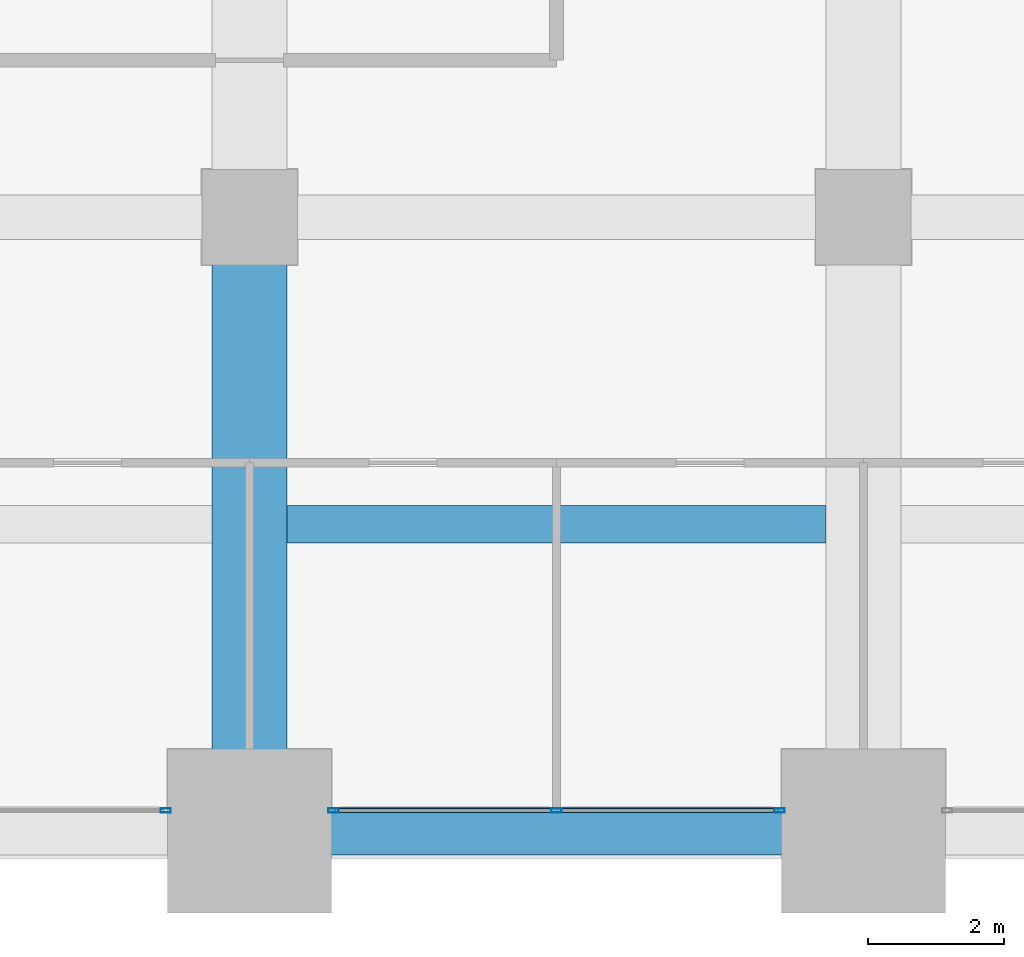
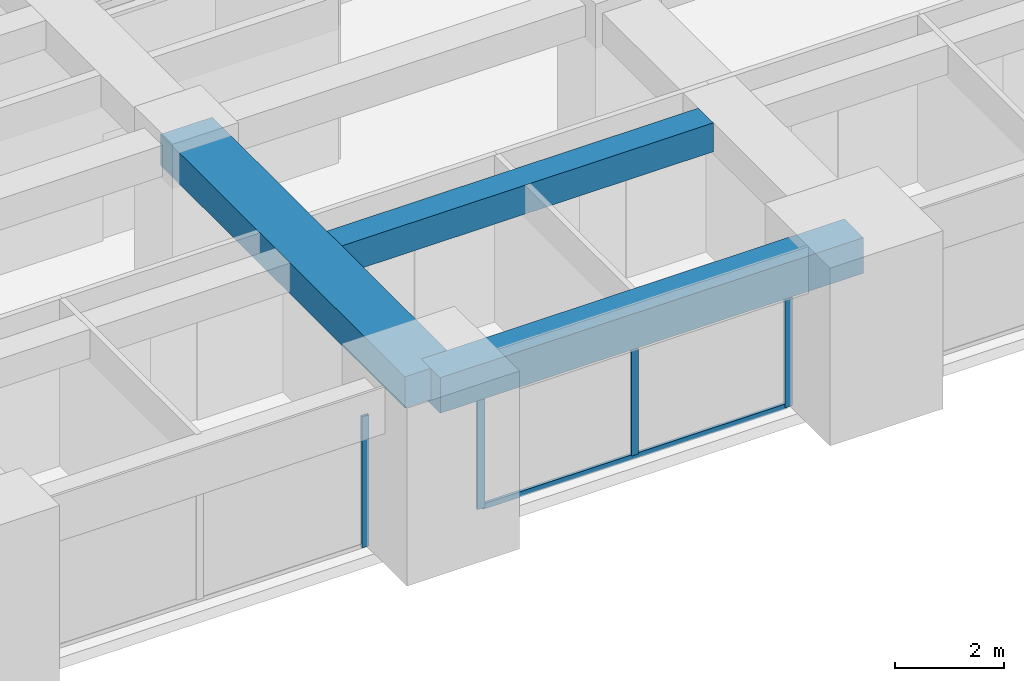
# One storey, part 6 of 33: 5 members, 3 beams, 2 elements without a shape of their own.
"""IFC4 building model written with IfcOpenShell, lengths in metres."""

from ifc_helpers import new_model, si_unit, direction, frame, origin, origin_2d, place, context, subcontext, project, spatial, rectangle, hollow_rectangle, extrude, material, material_profile, profile_set, type_object, element, aggregate, save


model = new_model("IFC4")

# Units and contexts
model_context = context("Model", 3, precision=1e-05, world=origin(), true_north=direction((0.0, 1.0)))
body_context = subcontext(model_context, "Body", "Model", "MODEL_VIEW")
ifc_project = project(units=[si_unit("LENGTHUNIT", "METRE"), si_unit("AREAUNIT", "SQUARE_METRE"), si_unit("VOLUMEUNIT", "CUBIC_METRE"), si_unit("PLANEANGLEUNIT", "RADIAN"), si_unit("MASSUNIT", "GRAM", prefix="KILO")], contexts=[model_context])

# Site, building, storey
site_placement = place(None, origin())
site = spatial("IfcSite", under=ifc_project, at=site_placement, CompositionType="ELEMENT")
building_placement = place(site_placement, origin())
building = spatial("IfcBuilding", under=site, at=building_placement, Name="Zorevar Civic Tower", CompositionType="ELEMENT")
storey_placement = place(building_placement, frame((0.0, 0.0, 210.199951171875)))
storey = spatial("IfcBuildingStorey", under=building, at=storey_placement, Name="L51", CompositionType="ELEMENT", Elevation=210.199951171875)

# Beams
ifc_material_1 = material(Name="Concrete C50/60", Category="concrete")
ifc_material_profile_1 = material_profile(ifc_material_1, rectangle(XDim=1.10009765625, YDim=0.699951171875, at=origin_2d()), Name="RC 1100x700")
ifc_profile_set_1 = profile_set([ifc_material_profile_1], Name="Concrete C50/60")
beam_type_1 = type_object("IfcBeamType", Name="Beam RC 1100x700", PredefinedType="BEAM", material=ifc_profile_set_1)
beam_1_placement = place(storey_placement, frame((18.0, 0.0, 3.400146484375), z_axis=(0.0, 1.0, 0.0), x_axis=(-1.0, 0.0, 0.0)))
element("IfcBeam", 1, at=beam_1_placement, inside=storey, type_object=beam_type_1, Name="Girder L52", PredefinedType="BEAM", context=body_context, shape_type="SweptSolid", body=[
    extrude(rectangle(XDim=1.10009765625, YDim=0.699951171875, at=origin_2d()), origin(), (0.0, 0.0, 1.0), 9.0),
])
ifc_material_2 = material(Name="Concrete C50/60", Category="concrete")
ifc_material_profile_2 = material_profile(ifc_material_2, rectangle(XDim=0.550048828125, YDim=0.64990234375, at=origin_2d()), Name="RC 550x650")
ifc_profile_set_2 = profile_set([ifc_material_profile_2], Name="Concrete C50/60")
beam_type_2 = type_object("IfcBeamType", Name="Beam RC 550x650", PredefinedType="BEAM", material=ifc_profile_set_2)
beam_2_placement = place(storey_placement, frame((18.550048828125, 4.5, 3.425048828125), z_axis=(1.0, 0.0, 0.0), x_axis=(0.0, 1.0, 0.0)))
element("IfcBeam", 2, at=beam_2_placement, inside=storey, type_object=beam_type_2, Name="Secondary beam L52", PredefinedType="BEAM", context=body_context, shape_type="SweptSolid", body=[
    extrude(rectangle(XDim=0.550048828125, YDim=0.64990234375, at=origin_2d()), origin(), (0.0, 0.0, 1.0), 7.89990234375),
])

# Curtain wall, member
ifc_material_3 = material(Name="Dark grey solar-control glass in black aluminium frame", Category="aluminium")
curtain_wall_type = type_object("IfcCurtainWallType", Name="Curtain wall CW4 high zone", PredefinedType="NOTDEFINED", material=ifc_material_3)
curtain_wall_1_placement = place(storey_placement, origin())
curtain_wall_1 = element("IfcCurtainWall", 3, at=curtain_wall_1_placement, inside=storey, type_object=curtain_wall_type, Name="CW4 L51", PredefinedType="NOTDEFINED")
ifc_material_4 = material(Name="Aluminium, black anodised", Category="aluminium")
ifc_material_profile_3 = material_profile(ifc_material_4, hollow_rectangle(XDim=0.06005859375, YDim=0.14990234375, WallThickness=0.00390625, at=origin_2d()), Name="AL 150x60x4")
ifc_profile_set_3 = profile_set([ifc_material_profile_3], Name="Aluminium, black anodised")
member_type_1 = type_object("IfcMemberType", Name="CW4 mullion AL 150x60x4", PredefinedType="MULLION", material=ifc_profile_set_3)
member_1_placement = place(storey_placement, frame((16.77001953125, 0.300048828125, 0.0), z_axis=(0.0, 0.0, 1.0), x_axis=(0.0, 1.0, 0.0)))
member_1 = element("IfcMember", 4, at=member_1_placement, type_object=member_type_1, Name="CW4 mullion 3", PredefinedType="MULLION", context=body_context, shape_type="SweptSolid", body=[
    extrude(hollow_rectangle(XDim=0.06005859375, YDim=0.14990234375, WallThickness=0.00390625, at=origin_2d()), origin(), (0.0, 0.0, 1.0), 2.949951171875),
])
aggregate(curtain_wall_1, [member_1])

# Curtain wall, members
curtain_wall_2_placement = place(storey_placement, origin())
curtain_wall_2 = element("IfcCurtainWall", 5, at=curtain_wall_2_placement, inside=storey, type_object=curtain_wall_type, Name="CW4 L51", PredefinedType="NOTDEFINED")
member_2_placement = place(storey_placement, frame((19.22998046875, 0.300048828125, 0.0), z_axis=(0.0, 0.0, 1.0), x_axis=(0.0, 1.0, 0.0)))
member_2 = element("IfcMember", 6, at=member_2_placement, type_object=member_type_1, Name="CW4 mullion 1", PredefinedType="MULLION", context=body_context, shape_type="SweptSolid", body=[
    extrude(hollow_rectangle(XDim=0.06005859375, YDim=0.14990234375, WallThickness=0.00390625, at=origin_2d()), origin(), (0.0, 0.0, 1.0), 2.949951171875),
])
member_3_placement = place(storey_placement, frame((22.5, 0.300048828125, 0.06005859375), z_axis=(0.0, 0.0, 1.0), x_axis=(0.0, 1.0, 0.0)))
member_3 = element("IfcMember", 7, at=member_3_placement, type_object=member_type_1, Name="CW4 mullion 2", PredefinedType="MULLION", context=body_context, shape_type="SweptSolid", body=[
    extrude(hollow_rectangle(XDim=0.06005859375, YDim=0.14990234375, WallThickness=0.00390625, at=origin_2d()), origin(), (0.0, 0.0, 1.0), 2.889892578125),
])
member_4_placement = place(storey_placement, frame((25.77001953125, 0.300048828125, 0.0), z_axis=(0.0, 0.0, 1.0), x_axis=(0.0, 1.0, 0.0)))
member_4 = element("IfcMember", 8, at=member_4_placement, type_object=member_type_1, Name="CW4 mullion 3", PredefinedType="MULLION", context=body_context, shape_type="SweptSolid", body=[
    extrude(hollow_rectangle(XDim=0.06005859375, YDim=0.14990234375, WallThickness=0.00390625, at=origin_2d()), origin(), (0.0, 0.0, 1.0), 2.949951171875),
])
ifc_material_5 = material(Name="Aluminium, black anodised", Category="aluminium")
ifc_material_profile_4 = material_profile(ifc_material_5, hollow_rectangle(XDim=0.06005859375, YDim=0.1201171875, WallThickness=0.0029296875, at=origin_2d()), Name="AL 120x60x3")
ifc_profile_set_4 = profile_set([ifc_material_profile_4], Name="Aluminium, black anodised")
member_type_2 = type_object("IfcMemberType", Name="CW4 transom AL 120x60x3", PredefinedType="USERDEFINED", material=ifc_profile_set_4)
member_5_placement = place(storey_placement, frame((19.260009765625, 0.300048828125, 0.030029296875), z_axis=(1.0, 0.0, 0.0), x_axis=(0.0, 1.0, 0.0)))
member_5 = element("IfcMember", 9, at=member_5_placement, type_object=member_type_2, Name="CW4 sill transom", ObjectType="TRANSOM", PredefinedType="USERDEFINED", context=body_context, shape_type="SweptSolid", body=[
    extrude(hollow_rectangle(XDim=0.06005859375, YDim=0.1201171875, WallThickness=0.0029296875, at=origin_2d()), origin(), (0.0, 0.0, 1.0), 6.47998046875),
])
aggregate(curtain_wall_2, [member_2, member_3, member_4, member_5])

# Beam
ifc_material_6 = material(Name="Concrete C50/60", Category="concrete")
ifc_material_profile_5 = material_profile(ifc_material_6, rectangle(XDim=0.699951171875, YDim=0.800048828125, at=origin_2d()), Name="RC 700x800")
ifc_profile_set_5 = profile_set([ifc_material_profile_5], Name="Concrete C50/60")
beam_type_3 = type_object("IfcBeamType", Name="Edge beam RC 700x800", PredefinedType="SPANDREL", material=ifc_profile_set_5)
beam_3_placement = place(storey_placement, frame((18.0, 0.0, 3.35009765625), z_axis=(1.0, 0.0, 0.0), x_axis=(0.0, 1.0, 0.0)))
element("IfcBeam", 10, at=beam_3_placement, inside=storey, type_object=beam_type_3, Name="Edge beam L52", PredefinedType="SPANDREL", context=body_context, shape_type="SweptSolid", body=[
    extrude(rectangle(XDim=0.699951171875, YDim=0.800048828125, at=origin_2d()), origin(), (0.0, 0.0, 1.0), 9.0),
])

save(model, "model.ifc")
